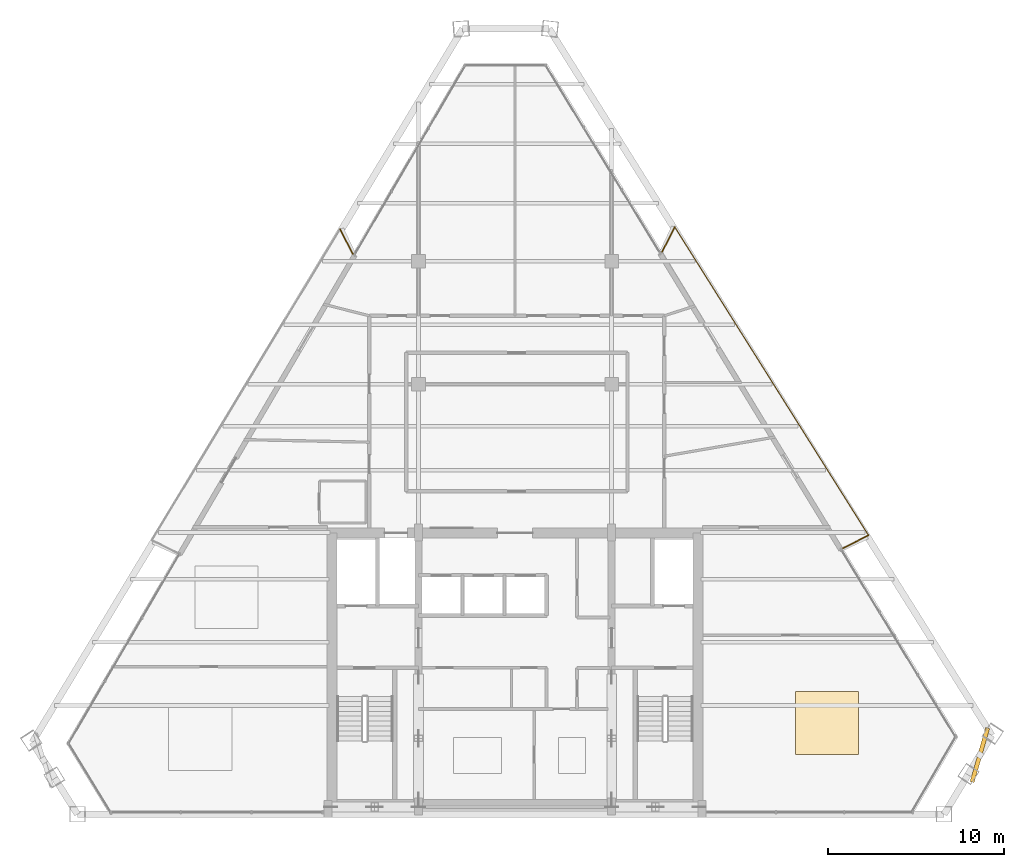
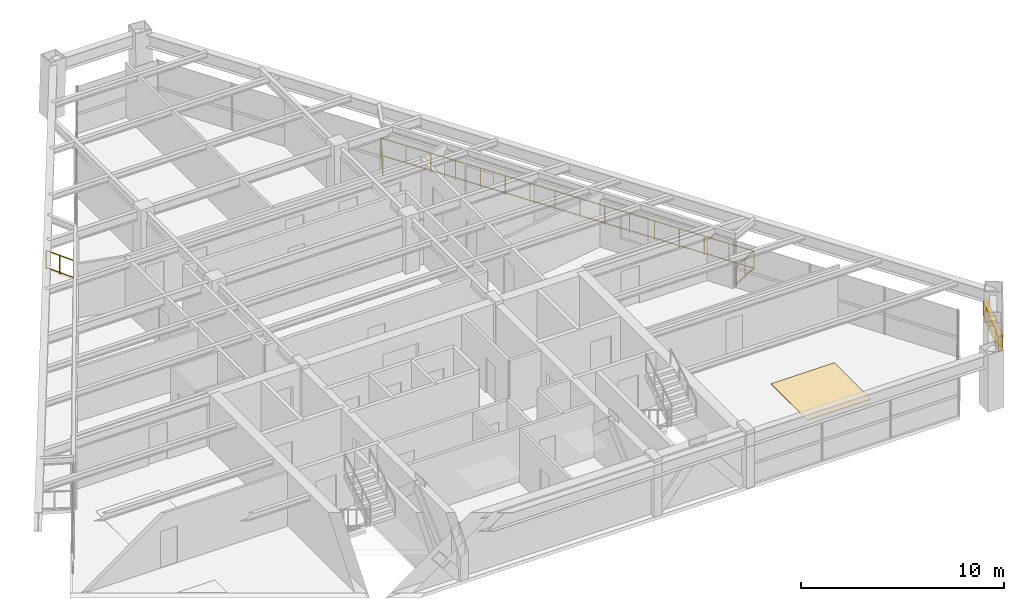
# One storey, part 13 of 13: 4 railings, 1 covering, 1 shading device.
"""IFC4 building model written with IfcOpenShell, lengths in metres."""

from ifc_helpers import new_model, si_unit, direction, frame, origin, origin_2d, place, context, subcontext, project, spatial, rectangle, extrude, source, transform, mapped, material, layer, layer_set, type_object, type_shapes, element, save


model = new_model("IFC4")

# Units and contexts
model_context = context("Model", 3, precision=1e-05, world=origin(), true_north=direction((0.0, 1.0)))
body_context = subcontext(model_context, "Body", "Model", "MODEL_VIEW")
ifc_project = project(units=[si_unit("LENGTHUNIT", "METRE"), si_unit("AREAUNIT", "SQUARE_METRE"), si_unit("VOLUMEUNIT", "CUBIC_METRE"), si_unit("PLANEANGLEUNIT", "RADIAN"), si_unit("MASSUNIT", "GRAM", prefix="KILO")], contexts=[model_context])

# Site, building, storey
site_placement = place(None, origin())
site = spatial("IfcSite", under=ifc_project, at=site_placement, CompositionType="ELEMENT")
building_placement = place(site_placement, origin())
building = spatial("IfcBuilding", under=site, at=building_placement, Name="Varnakhor Terracotta Tower", CompositionType="ELEMENT")
storey_placement = place(building_placement, frame((0.0, 0.0, 251.050048828125)))
storey = spatial("IfcBuildingStorey", under=building, at=storey_placement, Name="L65", CompositionType="ELEMENT", Elevation=251.050048828125)

# Railings
ifc_material_1 = material(Name="Stainless Steel & Laminated Glass Guardrail", Category="steel")
railing_type = type_object("IfcRailingType", Name="RLG-LOGGIA-GUARD-1150", PredefinedType="GUARDRAIL", material=ifc_material_1)
railing_1_placement = place(storey_placement, frame((8.3759765625, 32.0341796875, 0.0)))
element("IfcRailing", 1, at=railing_1_placement, inside=storey, type_object=railing_type, Name="L65 E Loggia Glass Guard 1", PredefinedType="GUARDRAIL", context=body_context, shape_type="SweptSolid", body=[
    extrude(rectangle(XDim=0.048095703125, YDim=0.048095703125, at=origin_2d()), frame((0.0, 0.0, 1.1259765625), z_axis=(0.451865623288, 0.892086015186, 0.0), x_axis=(-0.892086015186, 0.451865623288, 0.0)), (0.0, 0.0, 1.0), 1.59326171875),
    extrude(rectangle(XDim=0.048095703125, YDim=0.048095703125, at=origin_2d()), frame((0.0, 0.0, 0.10009765625), z_axis=(0.451865623288, 0.892086015186, 0.0), x_axis=(-0.892086015186, 0.451865623288, 0.0)), (0.0, 0.0, 1.0), 1.59326171875),
    extrude(rectangle(XDim=0.0419921875, YDim=0.0419921875, at=origin_2d()), origin(), (0.0, 0.0, 1.0), 1.101806640625),
    extrude(rectangle(XDim=0.0419921875, YDim=0.0419921875, at=origin_2d()), frame((0.35986328125, 0.710693359375, 0.0)), (0.0, 0.0, 1.0), 1.101806640625),
    extrude(rectangle(XDim=0.0419921875, YDim=0.0419921875, at=origin_2d()), frame((0.719970703125, 1.42138671875, 0.0)), (0.0, 0.0, 1.0), 1.101806640625),
])
railing_2_placement = place(storey_placement, frame((9.095947265625, 33.45556640625, 0.0)))
element("IfcRailing", 2, at=railing_2_placement, inside=storey, type_object=railing_type, Name="L65 E Loggia Glass Guard 2", PredefinedType="GUARDRAIL", context=body_context, shape_type="SweptSolid", body=[
    extrude(rectangle(XDim=0.048095703125, YDim=0.048095703125, at=origin_2d()), frame((0.0, 0.0, 1.1259765625), z_axis=(0.532150809262, -0.846649582886, 0.0), x_axis=(0.846649582886, 0.532150809262, 0.0)), (0.0, 0.0, 1.0), 20.73681640625),
    extrude(rectangle(XDim=0.048095703125, YDim=0.048095703125, at=origin_2d()), frame((0.0, 0.0, 0.10009765625), z_axis=(0.532150809262, -0.846649582886, 0.0), x_axis=(0.846649582886, 0.532150809262, 0.0)), (0.0, 0.0, 1.0), 20.73681640625),
    extrude(rectangle(XDim=0.0419921875, YDim=0.0419921875, at=origin_2d()), origin(), (0.0, 0.0, 1.0), 1.101806640625),
    extrude(rectangle(XDim=0.0419921875, YDim=0.0419921875, at=origin_2d()), frame((0.735595703125, -1.17041015625, 0.0)), (0.0, 0.0, 1.0), 1.101806640625),
    extrude(rectangle(XDim=0.0419921875, YDim=0.0419921875, at=origin_2d()), frame((1.471435546875, -2.3408203125, 0.0)), (0.0, 0.0, 1.0), 1.101806640625),
    extrude(rectangle(XDim=0.0419921875, YDim=0.0419921875, at=origin_2d()), frame((2.20703125, -3.511474609375, 0.0)), (0.0, 0.0, 1.0), 1.101806640625),
    extrude(rectangle(XDim=0.0419921875, YDim=0.0419921875, at=origin_2d()), frame((2.942626953125, -4.681884765625, 0.0)), (0.0, 0.0, 1.0), 1.101806640625),
    extrude(rectangle(XDim=0.0419921875, YDim=0.0419921875, at=origin_2d()), frame((3.678466796875, -5.852294921875, 0.0)), (0.0, 0.0, 1.0), 1.101806640625),
    extrude(rectangle(XDim=0.0419921875, YDim=0.0419921875, at=origin_2d()), frame((4.4140625, -7.022705078125, 0.0)), (0.0, 0.0, 1.0), 1.101806640625),
    extrude(rectangle(XDim=0.0419921875, YDim=0.0419921875, at=origin_2d()), frame((5.149658203125, -8.193115234375, 0.0)), (0.0, 0.0, 1.0), 1.101806640625),
    extrude(rectangle(XDim=0.0419921875, YDim=0.0419921875, at=origin_2d()), frame((5.885498046875, -9.36376953125, 0.0)), (0.0, 0.0, 1.0), 1.101806640625),
    extrude(rectangle(XDim=0.0419921875, YDim=0.0419921875, at=origin_2d()), frame((6.62109375, -10.5341796875, 0.0)), (0.0, 0.0, 1.0), 1.101806640625),
    extrude(rectangle(XDim=0.0419921875, YDim=0.0419921875, at=origin_2d()), frame((7.356689453125, -11.70458984375, 0.0)), (0.0, 0.0, 1.0), 1.101806640625),
    extrude(rectangle(XDim=0.0419921875, YDim=0.0419921875, at=origin_2d()), frame((8.092529296875, -12.875, 0.0)), (0.0, 0.0, 1.0), 1.101806640625),
    extrude(rectangle(XDim=0.0419921875, YDim=0.0419921875, at=origin_2d()), frame((8.828125, -14.04541015625, 0.0)), (0.0, 0.0, 1.0), 1.101806640625),
    extrude(rectangle(XDim=0.0419921875, YDim=0.0419921875, at=origin_2d()), frame((9.563720703125, -15.216064453125, 0.0)), (0.0, 0.0, 1.0), 1.101806640625),
    extrude(rectangle(XDim=0.0419921875, YDim=0.0419921875, at=origin_2d()), frame((10.299560546875, -16.386474609375, 0.0)), (0.0, 0.0, 1.0), 1.101806640625),
    extrude(rectangle(XDim=0.0419921875, YDim=0.0419921875, at=origin_2d()), frame((11.03515625, -17.556884765625, 0.0)), (0.0, 0.0, 1.0), 1.101806640625),
])
railing_3_placement = place(storey_placement, frame((20.131103515625, 15.898681640625, 0.0)))
element("IfcRailing", 3, at=railing_3_placement, inside=storey, type_object=railing_type, Name="L65 E Loggia Glass Guard 3", PredefinedType="GUARDRAIL", context=body_context, shape_type="SweptSolid", body=[
    extrude(rectangle(XDim=0.048095703125, YDim=0.048095703125, at=origin_2d()), frame((0.0, 0.0, 1.1259765625), z_axis=(-0.889494680435, -0.456945525722, 0.0), x_axis=(0.456945525722, -0.889494680435, 0.0)), (0.0, 0.0, 1.0), 1.631103515625),
    extrude(rectangle(XDim=0.048095703125, YDim=0.048095703125, at=origin_2d()), frame((0.0, 0.0, 0.10009765625), z_axis=(-0.889494680435, -0.456945525722, 0.0), x_axis=(0.456945525722, -0.889494680435, 0.0)), (0.0, 0.0, 1.0), 1.631103515625),
    extrude(rectangle(XDim=0.0419921875, YDim=0.0419921875, at=origin_2d()), origin(), (0.0, 0.0, 1.0), 1.101806640625),
    extrude(rectangle(XDim=0.0419921875, YDim=0.0419921875, at=origin_2d()), frame((-0.7255859375, -0.37255859375, 0.0)), (0.0, 0.0, 1.0), 1.101806640625),
    extrude(rectangle(XDim=0.0419921875, YDim=0.0419921875, at=origin_2d()), frame((-1.450927734375, -0.745361328125, 0.0)), (0.0, 0.0, 1.0), 1.101806640625),
])
railing_4_placement = place(storey_placement, frame((-9.970703125, 33.345947265625, 0.0)))
element("IfcRailing", 4, at=railing_4_placement, inside=storey, type_object=railing_type, Name="L65 W Loggia Glass Guard 3", PredefinedType="GUARDRAIL", context=body_context, shape_type="SweptSolid", body=[
    extrude(rectangle(XDim=0.048095703125, YDim=0.048095703125, at=origin_2d()), frame((0.0, 0.0, 1.1259765625), z_axis=(0.455300378233, -0.89033789405, 0.0), x_axis=(0.89033789405, 0.455300378233, 0.0)), (0.0, 0.0, 1.0), 1.59033203125),
    extrude(rectangle(XDim=0.048095703125, YDim=0.048095703125, at=origin_2d()), frame((0.0, 0.0, 0.10009765625), z_axis=(0.455300378233, -0.89033789405, 0.0), x_axis=(0.89033789405, 0.455300378233, 0.0)), (0.0, 0.0, 1.0), 1.59033203125),
    extrude(rectangle(XDim=0.0419921875, YDim=0.0419921875, at=origin_2d()), origin(), (0.0, 0.0, 1.0), 1.101806640625),
    extrude(rectangle(XDim=0.0419921875, YDim=0.0419921875, at=origin_2d()), frame((0.362060546875, -0.7080078125, 0.0)), (0.0, 0.0, 1.0), 1.101806640625),
    extrude(rectangle(XDim=0.0419921875, YDim=0.0419921875, at=origin_2d()), frame((0.72412109375, -1.416015625, 0.0)), (0.0, 0.0, 1.0), 1.101806640625),
])

# Shading device
ifc_material_2 = material(Name="Extruded Architectural Terracotta Screen", Category="masonry")
shading_device_type = type_object("IfcShadingDeviceType", Name="TERRACOTTA SOLAR SCREEN E", PredefinedType="USERDEFINED", material=ifc_material_2)
shared_shape_1 = source(origin(), body_context, "Body", "SweptSolid", [
    extrude(rectangle(XDim=3.199951171875, YDim=0.239990234375, at=origin_2d()), origin(), (0.0, 0.0, 1.0), 0.919921875),
])
type_shapes(shading_device_type, [shared_shape_1])
shading_device_placement = place(storey_placement, frame((26.47802734375, 3.376953125, 1.56201171875), z_axis=(0.0, 0.0, 1.0), x_axis=(0.27733142202, 0.960774313957, 0.0)))
element("IfcShadingDevice", 5, at=shading_device_placement, inside=storey, type_object=shading_device_type, Name="L65 E Terracotta Solar Screen", ObjectType="SCREEN", PredefinedType="USERDEFINED", context=body_context, shape_type="MappedRepresentation", body=[
    mapped(shared_shape_1, transform((0.0, 0.0, 0.0), scale=1.0)),
])

# Covering
ifc_material_3 = material(Name="Honed Riyadh Limestone Flooring", Category="masonry")
ifc_layer = layer(ifc_material_3, 0.030029296875, Name="Honed Riyadh Limestone Flooring")
ifc_layer_set = layer_set([ifc_layer], Name="Honed Riyadh Limestone Flooring")
covering_type = type_object("IfcCoveringType", Name="COV-FLOOR-LIMESTONE", PredefinedType="FLOORING", material=ifc_layer_set)
shared_shape_2 = source(origin(), body_context, "Body", "SweptSolid", [
    extrude(rectangle(XDim=3.60009765625, YDim=3.60009765625, at=origin_2d()), origin(), (0.0, 0.0, 1.0), 0.02001953125),
])
covering_placement = place(storey_placement, frame((17.761962890625, 5.2041015625, 0.0), z_axis=(0.0, 0.0, 1.0), x_axis=(1.0, 0.0, 0.0)))
element("IfcCovering", 6, at=covering_placement, inside=storey, type_object=covering_type, Name="L65 Honed Stone Flooring 4", PredefinedType="FLOORING", context=body_context, shape_type="MappedRepresentation", body=[
    mapped(shared_shape_2, transform((0.0, 0.0, 0.0), scale=1.0)),
])

save(model, "model.ifc")
